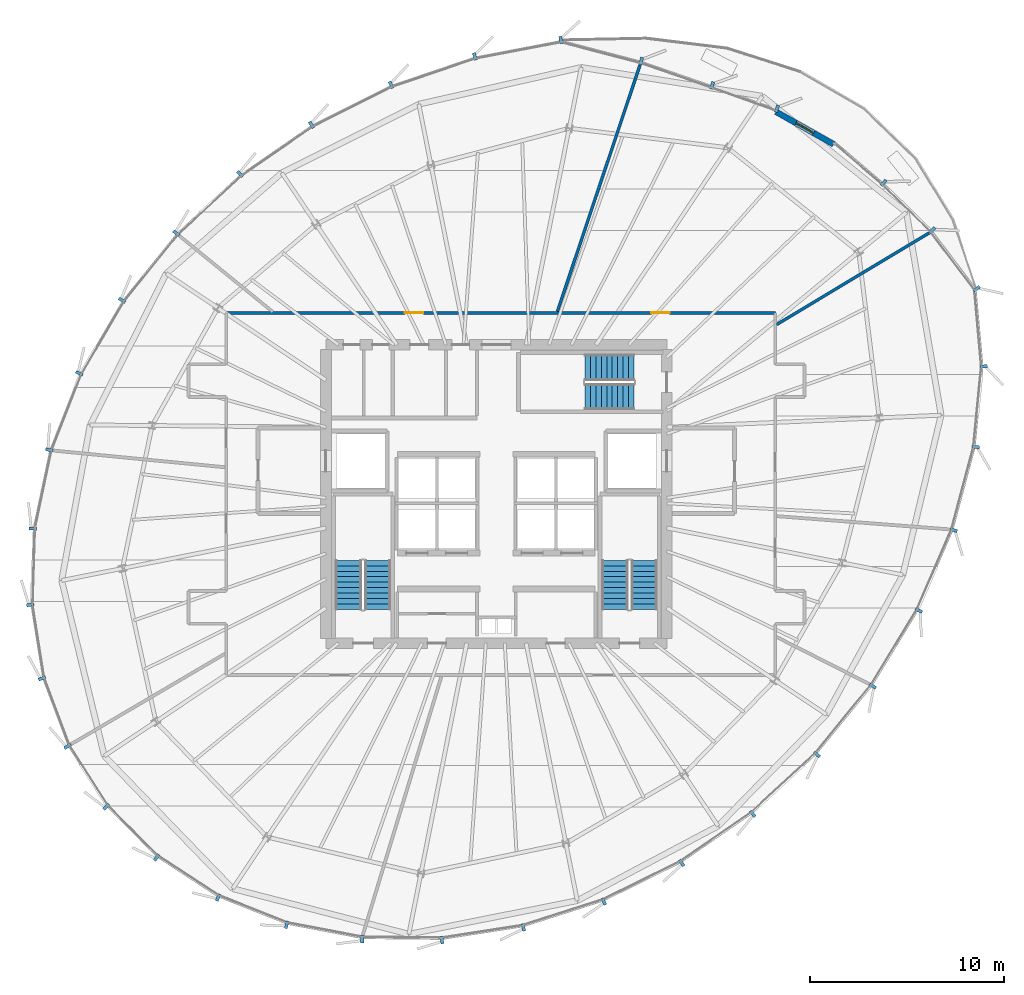
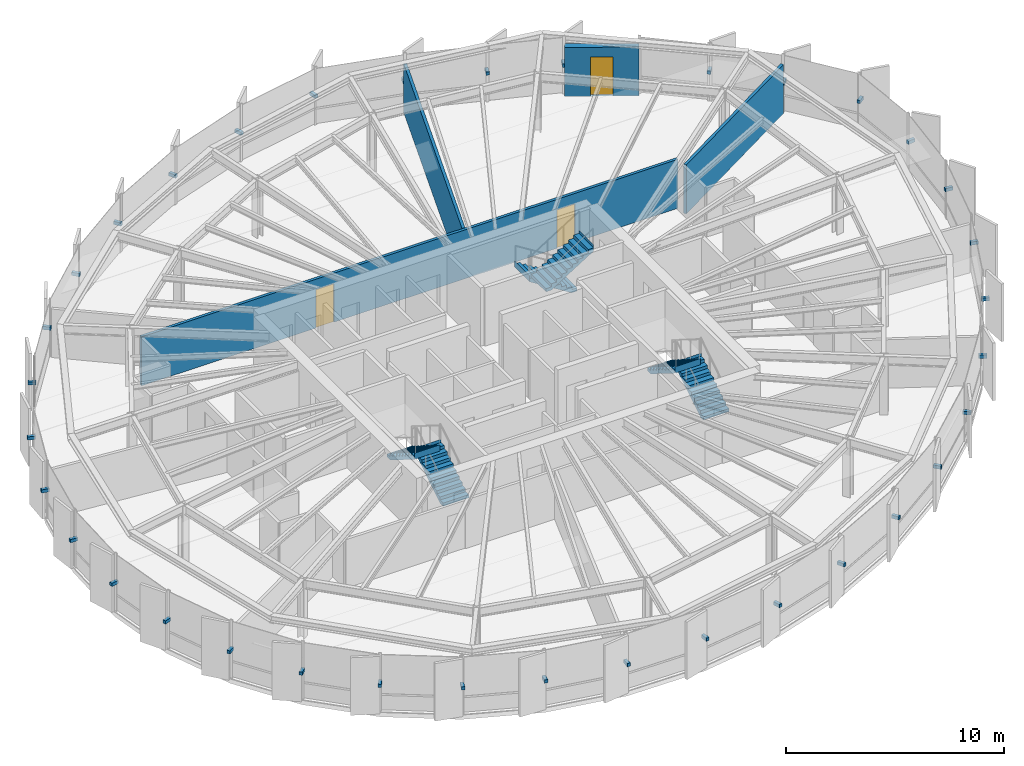
# One storey, part 31 of 34: 35 discrete accessories, 6 stair flights, 4 walls, 3 doors, 3 openings, 3 elements without a shape of their own.
"""IFC4 building model written with IfcOpenShell, lengths in metres."""

from ifc_helpers import new_model, si_unit, direction, frame, frame_2d, origin, origin_2d, place, context, subcontext, project, spatial, polyline, rectangle, outline, extrude, source, transform, mapped, material, layer, layer_set, type_object, element, fill, aggregate, save


model = new_model("IFC4")

# Units and contexts
model_context = context("Model", 3, precision=1e-05, world=origin(), true_north=direction((0.0, 1.0)))
body_context = subcontext(model_context, "Body", "Model", "MODEL_VIEW")
ifc_project = project(units=[si_unit("LENGTHUNIT", "METRE"), si_unit("AREAUNIT", "SQUARE_METRE"), si_unit("VOLUMEUNIT", "CUBIC_METRE"), si_unit("PLANEANGLEUNIT", "RADIAN"), si_unit("MASSUNIT", "GRAM", prefix="KILO"), si_unit("THERMODYNAMICTEMPERATUREUNIT", "KELVIN")], contexts=[model_context])

# Site, building, storey
site_placement = place(None, origin())
site = spatial("IfcSite", under=ifc_project, at=site_placement, CompositionType="ELEMENT")
building_placement = place(site_placement, origin())
building = spatial("IfcBuilding", under=site, at=building_placement, Name="Kethvar Cultural Tower", CompositionType="ELEMENT")
storey_placement = place(building_placement, frame((0.0, 0.0, 190.39990234375)))
storey = spatial("IfcBuildingStorey", under=building, at=storey_placement, Name="L49", CompositionType="ELEMENT", Elevation=190.39990234375)

# Wall, opening, door
ifc_material_1 = material(Name="Concrete C40/50", Category="concrete")
ifc_layer_1 = layer(ifc_material_1, 0.300048828125, Name="Concrete C40/50", Category="concrete")
ifc_layer_set_1 = layer_set([ifc_layer_1], Name="Concrete C40/50 (300 mm)")
wall_type_1 = type_object("IfcWallType", Name="WL-EXT-TER-300", PredefinedType="SOLIDWALL", material=ifc_layer_set_1)
wall_1_placement = place(storey_placement, frame((61.239501953125, 47.5341796875, 0.0), z_axis=(0.0, 0.0, 1.0), x_axis=(0.870990242998, -0.491300312031, 0.0)))
wall_1 = element("IfcWall", 1, at=wall_1_placement, inside=storey, type_object=wall_type_1, Name="L49 Sky Terrace Access Wall", PredefinedType="SOLIDWALL", context=body_context, shape_type="SweptSolid", body=[
    extrude(rectangle(XDim=3.412353515625, YDim=0.300048828125, at=frame_2d((1.7060546875, 0.0))), origin(), (0.0, 0.0, 1.0), 2.735107421875),
])
opening_1_placement = place(wall_1_placement, frame((1.18115234375, 0.0, 0.0)))
opening_1 = element("IfcOpeningElement", 2, at=opening_1_placement, cuts=wall_1, Name="Opening D-L49-T1", PredefinedType="OPENING", context=body_context, shape_type="SweptSolid", body=[
    extrude(rectangle(XDim=1.050048828125, YDim=2.199951171875, at=frame_2d((0.52490234375, 1.10009765625))), frame((0.0, 0.159912109375, 0.0), z_axis=(0.0, -1.0, 0.0), x_axis=(1.0, 0.0, 0.0)), (0.0, 0.0, 1.0), 0.320068359375),
])
ifc_material_2 = material(Name="Aluminium 6063-T6", Category="aluminium")
door_type_1 = type_object("IfcDoorType", Name="DR-EXT-TER-1050", OperationType="NOTDEFINED", PredefinedType="DOOR", material=ifc_material_2)
shared_shape_1 = source(origin(), body_context, "Body", "SweptSolid", [
    extrude(rectangle(XDim=1.050048828125, YDim=2.199951171875, at=frame_2d((0.52490234375, 1.10009765625))), frame((0.0, 0.02490234375, 0.0), z_axis=(0.0, -1.0, 0.0), x_axis=(1.0, 0.0, 0.0)), (0.0, 0.0, 1.0), 0.050048828125),
])
door_1_placement = place(opening_1_placement, origin())
door_1 = element("IfcDoor", 3, at=door_1_placement, inside=storey, type_object=door_type_1, Name="L49 Sky Terrace Access Door D-L49-T1", OperationType="SINGLE_SWING_LEFT", OverallHeight=2.199951171875, OverallWidth=1.050048828125, PredefinedType="DOOR", context=body_context, shape_type="MappedRepresentation", body=[
    mapped(shared_shape_1, transform((0.0, 0.0, 0.0), scale=1.0)),
])
fill(opening_1, door_1)

# Wall, openings, doors
ifc_material_3 = material(Name="Gypsum Fireboard Partition")
ifc_layer_2 = layer(ifc_material_3, 0.14990234375, Name="Gypsum Fireboard Partition")
ifc_layer_set_2 = layer_set([ifc_layer_2], Name="Gypsum Fireboard Partition (150 mm)")
wall_type_2 = type_object("IfcWallType", Name="WL-FIRE-150", PredefinedType="PARTITIONING", material=ifc_layer_set_2)
wall_2_placement = place(storey_placement, frame((61.199951171875, 37.14990234375, 0.0), z_axis=(0.0, 0.0, 1.0), x_axis=(-1.0, 0.0, 0.0)))
wall_2 = element("IfcWall", 4, at=wall_2_placement, inside=storey, type_object=wall_type_2, Name="L49 Corridor Rated Wall N", PredefinedType="PARTITIONING", context=body_context, shape_type="SweptSolid", body=[
    extrude(rectangle(XDim=28.349853515625, YDim=0.14990234375, at=frame_2d((14.1748046875, 0.0))), origin(), (0.0, 0.0, 1.0), 2.735107421875),
])
opening_2_placement = place(wall_2_placement, frame((5.451416015625, 0.0, 0.0)))
opening_2 = element("IfcOpeningElement", 5, at=opening_2_placement, cuts=wall_2, Name="Opening D-L49-05", PredefinedType="OPENING", context=body_context, shape_type="SweptSolid", body=[
    extrude(rectangle(XDim=0.949951171875, YDim=2.14990234375, at=frame_2d((0.47509765625, 1.074951171875))), frame((0.0, 0.0849609375, 0.0), z_axis=(0.0, -1.0, 0.0), x_axis=(1.0, 0.0, 0.0)), (0.0, 0.0, 1.0), 0.169921875),
])
opening_3_placement = place(wall_2_placement, frame((18.175537109375, 0.0, 0.0)))
opening_3 = element("IfcOpeningElement", 6, at=opening_3_placement, cuts=wall_2, Name="Opening D-L49-06", PredefinedType="OPENING", context=body_context, shape_type="SweptSolid", body=[
    extrude(rectangle(XDim=0.949951171875, YDim=2.14990234375, at=frame_2d((0.47509765625, 1.074951171875))), frame((0.0, 0.0849609375, 0.0), z_axis=(0.0, -1.0, 0.0), x_axis=(1.0, 0.0, 0.0)), (0.0, 0.0, 1.0), 0.169921875),
])
ifc_material_4 = material(Name="Architectural Oak Timber", Category="wood")
door_type_2 = type_object("IfcDoorType", Name="DR-FD30-950", OperationType="NOTDEFINED", PredefinedType="DOOR", material=ifc_material_4)
shared_shape_2 = source(origin(), body_context, "Body", "SweptSolid", [
    extrude(rectangle(XDim=0.949951171875, YDim=2.14990234375, at=frame_2d((0.47509765625, 1.074951171875))), frame((0.0, 0.02490234375, 0.0), z_axis=(0.0, -1.0, 0.0), x_axis=(1.0, 0.0, 0.0)), (0.0, 0.0, 1.0), 0.050048828125),
])
door_2_placement = place(opening_2_placement, origin())
door_2 = element("IfcDoor", 7, at=door_2_placement, inside=storey, type_object=door_type_2, Name="L49 Colloquium Seminar Room 05 Door", OperationType="SINGLE_SWING_RIGHT", OverallHeight=2.14990234375, OverallWidth=0.949951171875, PredefinedType="DOOR", context=body_context, shape_type="MappedRepresentation", body=[
    mapped(shared_shape_2, transform((0.0, 0.0, 0.0), scale=1.0)),
])
fill(opening_2, door_2)
door_3_placement = place(opening_3_placement, origin())
door_3 = element("IfcDoor", 8, at=door_3_placement, inside=storey, type_object=door_type_2, Name="L49 Concourse Visitor Foyer 06 Door", OperationType="SINGLE_SWING_LEFT", OverallHeight=2.14990234375, OverallWidth=0.949951171875, PredefinedType="DOOR", context=body_context, shape_type="MappedRepresentation", body=[
    mapped(shared_shape_2, transform((0.0, 0.0, 0.0), scale=1.0)),
])
fill(opening_3, door_3)

# Walls
ifc_material_5 = material(Name="Gypsum Acoustic Partition")
ifc_layer_3 = layer(ifc_material_5, 0.14990234375, Name="Gypsum Acoustic Partition")
ifc_layer_set_3 = layer_set([ifc_layer_3], Name="Gypsum Acoustic Partition (150 mm)")
wall_type_3 = type_object("IfcWallType", Name="WL-PART-150", PredefinedType="PARTITIONING", material=ifc_layer_set_3)
wall_3_placement = place(storey_placement, frame((61.2685546875, 36.54931640625, 0.0), z_axis=(0.0, 0.0, 1.0), x_axis=(0.857232382987, 0.514929744294, 0.0)))
element("IfcWall", 9, at=wall_3_placement, inside=storey, type_object=wall_type_3, Name="L49 Radial Partition Wall 05", PredefinedType="PARTITIONING", context=body_context, shape_type="SweptSolid", body=[
    extrude(rectangle(XDim=9.181396484375, YDim=0.14990234375, at=frame_2d((4.5908203125, 0.0))), origin(), (0.0, 0.0, 1.0), 2.735107421875),
])
wall_4_placement = place(storey_placement, frame((49.952392578125, 37.225830078125, 0.0), z_axis=(0.0, 0.0, 1.0), x_axis=(0.317695690464, 0.948192727382, 0.0)))
element("IfcWall", 10, at=wall_4_placement, inside=storey, type_object=wall_type_3, Name="L49 Radial Partition Wall 06", PredefinedType="PARTITIONING", context=body_context, shape_type="SweptSolid", body=[
    extrude(rectangle(XDim=13.418212890625, YDim=0.14990234375, at=frame_2d((6.708984375, 0.0))), origin(), (0.0, 0.0, 1.0), 2.735107421875),
])

# Stair, stair flights
stair_type = type_object("IfcStairType", Name="ST-DOGLEG-135", PredefinedType="HALF_TURN_STAIR", material=ifc_material_1)
stair_1_placement = place(storey_placement, origin())
stair_1 = element("IfcStair", 11, at=stair_1_placement, inside=storey, type_object=stair_type, Name="L49 Core Exit Stair 1", PredefinedType="HALF_TURN_STAIR")
stair_flight_type = type_object("IfcStairFlightType", Name="FL-STRAIGHT-135", PredefinedType="STRAIGHT", material=ifc_material_1)
stair_flight_1_placement = place(storey_placement, frame((40.675048828125, 21.85009765625, 0.0), z_axis=(0.0, 0.0, 1.0), x_axis=(0.0, 1.0, 0.0)))
stair_flight_1 = element("IfcStairFlight", 12, at=stair_flight_1_placement, type_object=stair_flight_type, Name="ST-01 flight 1", NumberOfRisers=10, NumberOfTreads=9, PredefinedType="STRAIGHT", RiserHeight=0.175, TreadLength=0.28, context=body_context, shape_type="SweptSolid", body=[
    extrude(outline(polyline([(-0.0009765625, -0.0009765625), (-0.0009765625, 0.175048828125), (0.280029296875, 0.175048828125), (0.280029296875, 0.35009765625), (0.56005859375, 0.35009765625), (0.56005859375, 0.52490234375), (0.840087890625, 0.52490234375), (0.840087890625, 0.699951171875), (1.1201171875, 0.699951171875), (1.1201171875, 0.875), (1.39990234375, 0.875), (1.39990234375, 1.050048828125), (1.679931640625, 1.050048828125), (1.679931640625, 1.22509765625), (1.9599609375, 1.22509765625), (1.9599609375, 1.39990234375), (2.239990234375, 1.39990234375), (2.239990234375, 1.574951171875), (2.52001953125, 1.574951171875), (2.52001953125, 1.75), (2.52099609375, 1.75), (2.52099609375, 1.398193359375), (0.28271484375, 0.0), (0.0, -0.0009765625), (-0.0009765625, -0.0009765625)])), frame((0.0, 0.675048828125, 0.0), z_axis=(0.0, -1.0, 0.0), x_axis=(1.0, 0.0, 0.0)), (0.0, 0.0, 1.0), 1.35009765625),
])
stair_flight_2_placement = place(storey_placement, frame((39.1650390625, 24.3701171875, 1.75), z_axis=(0.0, 0.0, 1.0), x_axis=(0.0, -1.0, 0.0)))
stair_flight_2 = element("IfcStairFlight", 13, at=stair_flight_2_placement, type_object=stair_flight_type, Name="ST-01 flight 2", NumberOfRisers=10, NumberOfTreads=9, PredefinedType="STRAIGHT", RiserHeight=0.175, TreadLength=0.28, context=body_context, shape_type="SweptSolid", body=[
    extrude(outline(polyline([(-0.0009765625, -0.0009765625), (-0.0009765625, 0.175048828125), (0.280029296875, 0.175048828125), (0.280029296875, 0.35009765625), (0.56005859375, 0.35009765625), (0.56005859375, 0.52490234375), (0.840087890625, 0.52490234375), (0.840087890625, 0.699951171875), (1.1201171875, 0.699951171875), (1.1201171875, 0.875), (1.39990234375, 0.875), (1.39990234375, 1.050048828125), (1.679931640625, 1.050048828125), (1.679931640625, 1.22509765625), (1.9599609375, 1.22509765625), (1.9599609375, 1.39990234375), (2.239990234375, 1.39990234375), (2.239990234375, 1.574951171875), (2.52001953125, 1.574951171875), (2.52001953125, 1.75), (2.52099609375, 1.75), (2.52099609375, 1.398193359375), (0.28271484375, 0.0), (0.0, -0.0009765625), (-0.0009765625, -0.0009765625)])), frame((0.0, 0.675048828125, 0.0), z_axis=(0.0, -1.0, 0.0), x_axis=(1.0, 0.0, 0.0)), (0.0, 0.0, 1.0), 1.35009765625),
])
aggregate(stair_1, [stair_flight_1, stair_flight_2])

stair_2_placement = place(storey_placement, origin())
stair_2 = element("IfcStair", 14, at=stair_2_placement, inside=storey, type_object=stair_type, Name="L49 Core Exit Stair 2", PredefinedType="HALF_TURN_STAIR")
stair_flight_3_placement = place(storey_placement, frame((54.43505859375, 21.85009765625, 0.0), z_axis=(0.0, 0.0, 1.0), x_axis=(0.0, 1.0, 0.0)))
stair_flight_3 = element("IfcStairFlight", 15, at=stair_flight_3_placement, type_object=stair_flight_type, Name="ST-02 flight 1", NumberOfRisers=10, NumberOfTreads=9, PredefinedType="STRAIGHT", RiserHeight=0.175, TreadLength=0.28, context=body_context, shape_type="SweptSolid", body=[
    extrude(outline(polyline([(-0.0009765625, -0.0009765625), (-0.0009765625, 0.175048828125), (0.280029296875, 0.175048828125), (0.280029296875, 0.35009765625), (0.56005859375, 0.35009765625), (0.56005859375, 0.52490234375), (0.840087890625, 0.52490234375), (0.840087890625, 0.699951171875), (1.1201171875, 0.699951171875), (1.1201171875, 0.875), (1.39990234375, 0.875), (1.39990234375, 1.050048828125), (1.679931640625, 1.050048828125), (1.679931640625, 1.22509765625), (1.9599609375, 1.22509765625), (1.9599609375, 1.39990234375), (2.239990234375, 1.39990234375), (2.239990234375, 1.574951171875), (2.52001953125, 1.574951171875), (2.52001953125, 1.75), (2.52099609375, 1.75), (2.52099609375, 1.398193359375), (0.28271484375, 0.0), (0.0, -0.0009765625), (-0.0009765625, -0.0009765625)])), frame((0.0, 0.675048828125, 0.0), z_axis=(0.0, -1.0, 0.0), x_axis=(1.0, 0.0, 0.0)), (0.0, 0.0, 1.0), 1.35009765625),
])
stair_flight_4_placement = place(storey_placement, frame((52.925048828125, 24.3701171875, 1.75), z_axis=(0.0, 0.0, 1.0), x_axis=(0.0, -1.0, 0.0)))
stair_flight_4 = element("IfcStairFlight", 16, at=stair_flight_4_placement, type_object=stair_flight_type, Name="ST-02 flight 2", NumberOfRisers=10, NumberOfTreads=9, PredefinedType="STRAIGHT", RiserHeight=0.175, TreadLength=0.28, context=body_context, shape_type="SweptSolid", body=[
    extrude(outline(polyline([(-0.0009765625, -0.0009765625), (-0.0009765625, 0.175048828125), (0.280029296875, 0.175048828125), (0.280029296875, 0.35009765625), (0.56005859375, 0.35009765625), (0.56005859375, 0.52490234375), (0.840087890625, 0.52490234375), (0.840087890625, 0.699951171875), (1.1201171875, 0.699951171875), (1.1201171875, 0.875), (1.39990234375, 0.875), (1.39990234375, 1.050048828125), (1.679931640625, 1.050048828125), (1.679931640625, 1.22509765625), (1.9599609375, 1.22509765625), (1.9599609375, 1.39990234375), (2.239990234375, 1.39990234375), (2.239990234375, 1.574951171875), (2.52001953125, 1.574951171875), (2.52001953125, 1.75), (2.52099609375, 1.75), (2.52099609375, 1.398193359375), (0.28271484375, 0.0), (0.0, -0.0009765625), (-0.0009765625, -0.0009765625)])), frame((0.0, 0.675048828125, 0.0), z_axis=(0.0, -1.0, 0.0), x_axis=(1.0, 0.0, 0.0)), (0.0, 0.0, 1.0), 1.35009765625),
])
aggregate(stair_2, [stair_flight_3, stair_flight_4])

stair_3_placement = place(storey_placement, origin())
stair_3 = element("IfcStair", 17, at=stair_3_placement, inside=storey, type_object=stair_type, Name="L49 Core Exit Stair 3", PredefinedType="HALF_TURN_STAIR")
stair_flight_5_placement = place(storey_placement, frame((53.89990234375, 34.3349609375, 0.0), z_axis=(0.0, 0.0, 1.0), x_axis=(-1.0, 0.0, 0.0)))
stair_flight_5 = element("IfcStairFlight", 18, at=stair_flight_5_placement, type_object=stair_flight_type, Name="ST-03 flight 1", NumberOfRisers=10, NumberOfTreads=9, PredefinedType="STRAIGHT", RiserHeight=0.175, TreadLength=0.28, context=body_context, shape_type="SweptSolid", body=[
    extrude(outline(polyline([(-0.0009765625, -0.0009765625), (-0.0009765625, 0.175048828125), (0.280029296875, 0.175048828125), (0.280029296875, 0.35009765625), (0.56005859375, 0.35009765625), (0.56005859375, 0.52490234375), (0.840087890625, 0.52490234375), (0.840087890625, 0.699951171875), (1.1201171875, 0.699951171875), (1.1201171875, 0.875), (1.39990234375, 0.875), (1.39990234375, 1.050048828125), (1.679931640625, 1.050048828125), (1.679931640625, 1.22509765625), (1.9599609375, 1.22509765625), (1.9599609375, 1.39990234375), (2.239990234375, 1.39990234375), (2.239990234375, 1.574951171875), (2.52001953125, 1.574951171875), (2.52001953125, 1.75), (2.52099609375, 1.75), (2.52099609375, 1.398193359375), (0.28271484375, 0.0), (0.0, -0.0009765625), (-0.0009765625, -0.0009765625)])), frame((0.0, 0.675048828125, 0.0), z_axis=(0.0, -1.0, 0.0), x_axis=(1.0, 0.0, 0.0)), (0.0, 0.0, 1.0), 1.35009765625),
])
stair_flight_6_placement = place(storey_placement, frame((51.3798828125, 32.824951171875, 1.75), z_axis=(0.0, 0.0, 1.0), x_axis=(1.0, 0.0, 0.0)))
stair_flight_6 = element("IfcStairFlight", 19, at=stair_flight_6_placement, type_object=stair_flight_type, Name="ST-03 flight 2", NumberOfRisers=10, NumberOfTreads=9, PredefinedType="STRAIGHT", RiserHeight=0.175, TreadLength=0.28, context=body_context, shape_type="SweptSolid", body=[
    extrude(outline(polyline([(-0.0009765625, -0.0009765625), (-0.0009765625, 0.175048828125), (0.280029296875, 0.175048828125), (0.280029296875, 0.35009765625), (0.56005859375, 0.35009765625), (0.56005859375, 0.52490234375), (0.840087890625, 0.52490234375), (0.840087890625, 0.699951171875), (1.1201171875, 0.699951171875), (1.1201171875, 0.875), (1.39990234375, 0.875), (1.39990234375, 1.050048828125), (1.679931640625, 1.050048828125), (1.679931640625, 1.22509765625), (1.9599609375, 1.22509765625), (1.9599609375, 1.39990234375), (2.239990234375, 1.39990234375), (2.239990234375, 1.574951171875), (2.52001953125, 1.574951171875), (2.52001953125, 1.75), (2.52099609375, 1.75), (2.52099609375, 1.398193359375), (0.28271484375, 0.0), (0.0, -0.0009765625), (-0.0009765625, -0.0009765625)])), frame((0.0, 0.675048828125, 0.0), z_axis=(0.0, -1.0, 0.0), x_axis=(1.0, 0.0, 0.0)), (0.0, 0.0, 1.0), 1.35009765625),
])
aggregate(stair_3, [stair_flight_5, stair_flight_6])

# Discrete accessories
ifc_material_6 = material(Name="Steel S355J2", Category="steel")
discrete_accessory_type = type_object("IfcDiscreteAccessoryType", Name="Steel Fin Bracket BRK-01", PredefinedType="BRACKET", material=ifc_material_6)
shared_shape_3 = source(origin(), body_context, "Body", "SweptSolid", [
    extrude(rectangle(XDim=0.3798828125, YDim=0.159912109375, at=origin_2d()), origin(), (0.0, 0.0, 1.0), 0.179931640625),
])
for number, where, z_axis, x_axis, name in (
    (20, (66.79248046875, 43.86865234375, 1.5400390625), (0.0, 0.0, 1.0), (0.65024398735, 0.759725448379, 0.0), "L49 Terracotta Fin Bracket 1.1"),
    (21, (61.284912109375, 47.6962890625, 1.5400390625), (0.0, 0.0, 1.0), (0.338080979059, 0.941117023328, 0.0), "L49 Terracotta Fin Bracket 2.1"),
    (22, (57.936767578125, 48.89892578125, 1.5400390625), (0.0, 0.0, 1.0), (0.32573317362, 0.945461738836, 0.0), "L49 Terracotta Fin Bracket 2.2"),
    (23, (54.277587890625, 50.159912109375, 1.5400390625), (0.0, 0.0, 1.0), (0.253420288991, 0.967356272077, 0.0), "L49 Terracotta Fin Bracket 2.3"),
    (24, (50.128662109375, 51.24560546875, 1.5400390625), (0.0, 0.0, 1.0), (-0.187209870265, 0.982319939976, 0.0), "L49 Terracotta Fin Bracket 2.4"),
    (25, (45.6875, 50.398681640625, 1.5400390625), (0.0, 0.0, 1.0), (-0.321439465303, 0.946930129495, 0.0), "L49 Terracotta Fin Bracket 2.5"),
    (26, (41.360595703125, 48.929931640625, 1.5400390625), (0.0, 0.0, 1.0), (-0.447915140373, 0.894076074518, 0.0), "L49 Terracotta Fin Bracket 2.6"),
    (27, (37.251708984375, 46.864990234375, 1.5400390625), (0.0, 0.0, 1.0), (-0.568131039249, 0.82293810353, 0.0), "L49 Terracotta Fin Bracket 3.1"),
    (28, (33.564697265625, 44.3193359375, 1.5400390625), (0.0, 0.0, 1.0), (-0.679441304262, 0.733729864503, 0.0), "L49 Terracotta Fin Bracket 3.2"),
    (29, (30.266845703125, 41.265380859375, 1.5400390625), (0.0, 0.0, 1.0), (-0.778133536444, 0.628098877137, 0.0), "L49 Terracotta Fin Bracket 3.3"),
    (30, (27.471435546875, 37.80224609375, 1.5400390625), (0.0, 0.0, 1.0), (-0.862690255763, 0.505732659231, 0.0), "L49 Terracotta Fin Bracket 3.4"),
    (31, (25.26318359375, 34.03515625, 1.5400390625), (0.0, 0.0, 1.0), (-0.930800856941, 0.365526694947, 0.0), "L49 Terracotta Fin Bracket 3.5"),
    (32, (23.70947265625, 30.078369140625, 1.5400390625), (0.0, 0.0, 1.0), (-0.978292512096, 0.207228764358, 0.0), "L49 Terracotta Fin Bracket 3.6"),
    (33, (22.855712890625, 26.013427734375, 1.5400390625), (0.0, 0.0, 1.0), (-0.999506560366, 0.031410759078, 0.0), "L49 Terracotta Fin Bracket 4.1"),
    (34, (22.732177734375, 22.079345703125, 1.5400390625), (0.0, 0.0, 1.0), (-0.987496482765, -0.157641036938, 0.0), "L49 Terracotta Fin Bracket 4.2"),
    (35, (23.3388671875, 18.2802734375, 1.5400390625), (0.0, 0.0, 1.0), (-0.936059535739, -0.351841648405, 0.0), "L49 Terracotta Fin Bracket 4.3"),
    (36, (24.658203125, 14.77001953125, 1.5400390625), (0.0, 0.0, 1.0), (-0.842358350935, -0.538917812481, 0.0), "L49 Terracotta Fin Bracket 4.4"),
    (37, (26.65087890625, 11.656005859375, 1.5400390625), (0.0, 0.0, 1.0), (-0.709693707598, -0.704510355776, 0.0), "L49 Terracotta Fin Bracket 4.5"),
    (38, (29.255615234375, 9.03271484375, 1.5400390625), (0.0, 0.0, 1.0), (-0.547563223493, -0.836764313459, 0.0), "L49 Terracotta Fin Bracket 4.6"),
    (39, (32.4296875, 6.965087890625, 1.5400390625), (0.0, 0.0, 1.0), (-0.369260213935, -0.929326043111, 0.0), "L49 Terracotta Fin Bracket 5.1"),
    (40, (35.96875, 5.55908203125, 1.5400390625), (0.0, 0.0, 1.0), (-0.187381314586, -0.982287250729, 0.0), "L49 Terracotta Fin Bracket 5.2"),
    (41, (39.873291015625, 4.814697265625, 1.5400390625), (0.0, 0.0, 1.0), (-0.011169874929, -0.999937615001, 0.0), "L49 Terracotta Fin Bracket 5.3"),
    (42, (43.988037109375, 4.7685546875, 1.5400390625), (0.0, 0.0, 1.0), (0.153675712507, -0.988121336368, 0.0), "L49 Terracotta Fin Bracket 5.4"),
    (43, (48.188232421875, 5.422119140625, 1.5400390625), (0.0, 0.0, 1.0), (0.30536293049, -0.952236042525, 0.0), "L49 Terracotta Fin Bracket 5.5"),
    (44, (52.34619140625, 6.755615234375, 1.5400390625), (0.0, 0.0, 1.0), (0.443227650474, -0.896409086219, 0.0), "L49 Terracotta Fin Bracket 5.6"),
    (45, (56.36767578125, 8.75048828125, 1.5400390625), (0.0, 0.0, 1.0), (0.567843745053, -0.823136368534, 0.0), "L49 Terracotta Fin Bracket 6.1"),
    (46, (60.035400390625, 11.280517578125, 1.5400390625), (0.0, 0.0, 1.0), (0.679185142834, -0.733966989553, 0.0), "L49 Terracotta Fin Bracket 6.2"),
    (47, (63.352783203125, 14.350341796875, 1.5400390625), (0.0, 0.0, 1.0), (0.774834166979, -0.632164546366, 0.0), "L49 Terracotta Fin Bracket 6.3"),
    (48, (66.235107421875, 17.88330078125, 1.5400390625), (0.0, 0.0, 1.0), (0.854005138885, -0.520264569962, 0.0), "L49 Terracotta Fin Bracket 6.4"),
    (49, (68.6123046875, 21.785888671875, 1.5400390625), (0.0, 0.0, 1.0), (0.917823927089, -0.396987706187, 0.0), "L49 Terracotta Fin Bracket 6.5"),
    (50, (70.407470703125, 25.935302734375, 1.5400390625), (0.0, 0.0, 1.0), (0.966061211211, -0.258313252067, 0.0), "L49 Terracotta Fin Bracket 6.6"),
    (51, (71.54833984375, 30.22802734375, 1.5400390625), (0.0, 0.0, 1.0), (0.995210353395, -0.097756598221, 0.0), "L49 Terracotta Fin Bracket 7.1"),
    (52, (71.957275390625, 34.392578125, 1.5400390625), (0.0, 0.0, 1.0), (0.99597876276, 0.08958964299, 0.0), "L49 Terracotta Fin Bracket 7.2"),
    (53, (71.595947265625, 38.392578125, 1.5400390625), (0.0, 0.0, 1.0), (0.797373320929, 0.603486360302, 0.0), "L49 Terracotta Fin Bracket 7.3"),
    (54, (69.30859375, 41.414306640625, 1.5400390625), (0.0, 0.0, 1.0), (0.698789925516, 0.715326946227, 0.0), "L49 Terracotta Fin Bracket 7.4"),
):
    element("IfcDiscreteAccessory", number, at=place(storey_placement, frame(where, z_axis=z_axis, x_axis=x_axis)), inside=storey, type_object=discrete_accessory_type, Name=name, PredefinedType="BRACKET", context=body_context, shape_type="MappedRepresentation", body=[
        mapped(shared_shape_3, transform((0.0, 0.0, 0.0), scale=1.0)),
    ])

save(model, "model.ifc")
